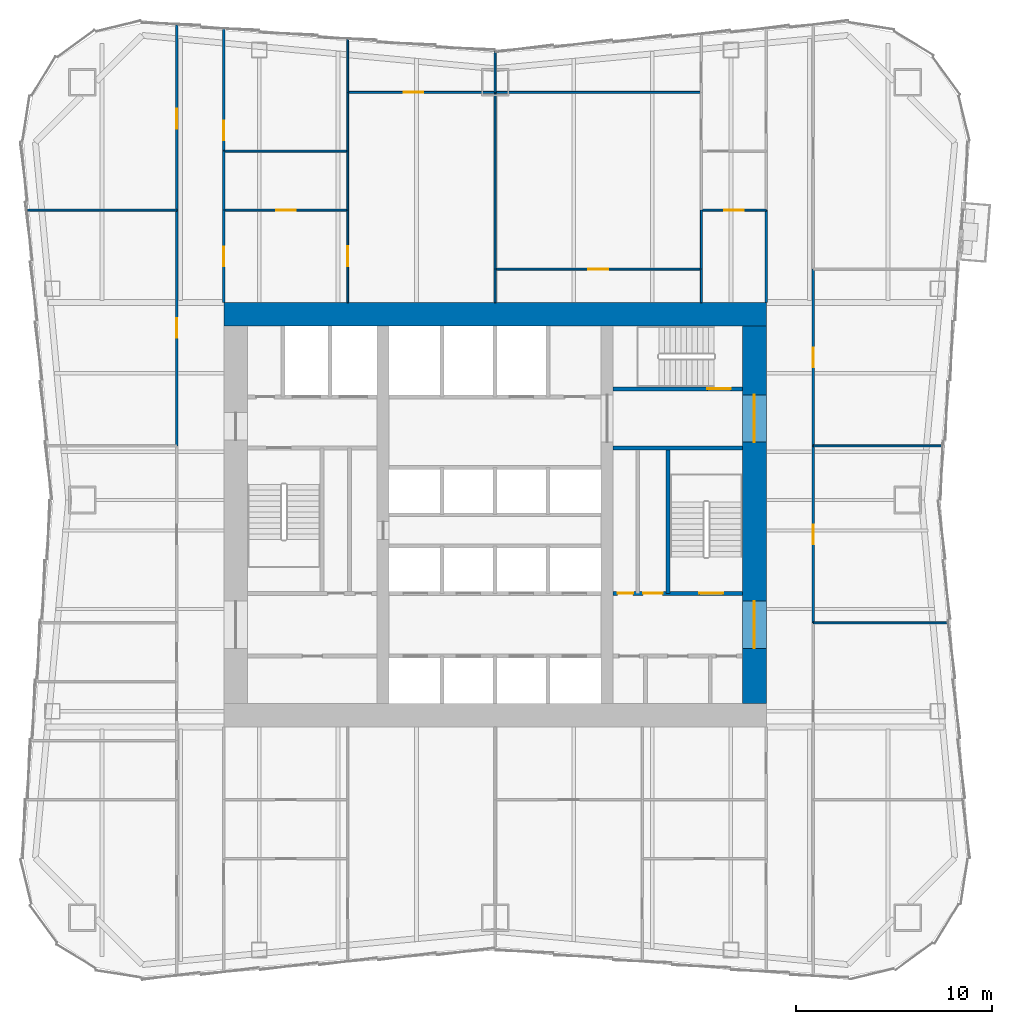
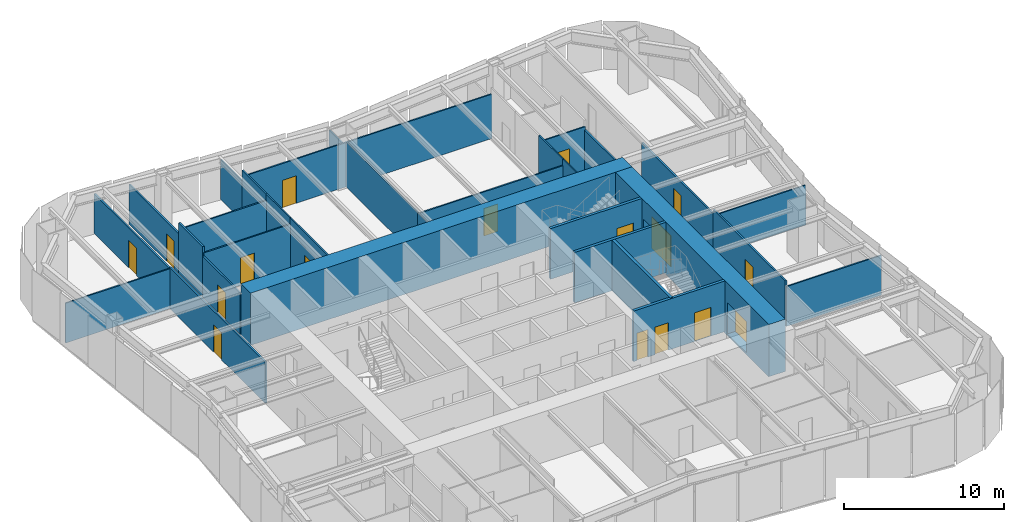
# One storey, part 6 of 9: 32 walls, 17 doors, 17 openings.
"""IFC4 building model written with IfcOpenShell, lengths in metres."""

from ifc_helpers import new_model, si_unit, direction, frame, frame_2d, origin, place, context, subcontext, project, spatial, rectangle, extrude, material, layer, layer_set, type_object, element, fill, save


model = new_model("IFC4")

# Units and contexts
model_context = context("Model", 3, precision=1e-05, world=origin(), true_north=direction((0.0, 1.0)))
body_context = subcontext(model_context, "Body", "Model", "MODEL_VIEW")
ifc_project = project(units=[si_unit("LENGTHUNIT", "METRE"), si_unit("AREAUNIT", "SQUARE_METRE"), si_unit("VOLUMEUNIT", "CUBIC_METRE"), si_unit("PLANEANGLEUNIT", "RADIAN"), si_unit("MASSUNIT", "GRAM", prefix="KILO")], contexts=[model_context])

# Site, building, storey
site_placement = place(None, origin())
site = spatial("IfcSite", under=ifc_project, at=site_placement, CompositionType="ELEMENT")
building_placement = place(site_placement, origin())
building = spatial("IfcBuilding", under=site, at=building_placement, Name="Verdant Reach Tower", CompositionType="ELEMENT")
storey_placement = place(building_placement, frame((0.0, 0.0, 98.0)))
storey = spatial("IfcBuildingStorey", under=building, at=storey_placement, Name="L22", CompositionType="ELEMENT", Elevation=98.0)

# Wall, openings, doors
ifc_material_1 = material(Name="Concrete C40/50", Category="concrete")
ifc_layer_1 = layer(ifc_material_1, 0.199951171875)
ifc_layer_set_1 = layer_set([ifc_layer_1], Name="CO-WALL-STAIR")
wall_type_1 = type_object("IfcWallType", Name="CO-WALL-STAIR", PredefinedType="PARTITIONING", material=ifc_layer_set_1)
wall_1_placement = place(storey_placement, frame((6.0, 24.0, 0.0), z_axis=(0.0, 0.0, 1.0), x_axis=(1.0, 0.0, 0.0)))
wall_1 = element("IfcWall", 1, at=wall_1_placement, inside=storey, type_object=wall_type_1, Name="Stair enclosure wall, L22", PredefinedType="PARTITIONING", context=body_context, shape_type="SweptSolid", body=[
    extrude(rectangle(XDim=6.60009765625, YDim=0.199951171875, at=frame_2d((3.300048828125, 0.0))), origin(), (0.0, 0.0, 1.0), 3.8701171875),
])
opening_1_placement = place(wall_1_placement, frame((0.22998046875, 0.0, 0.0)))
opening_1 = element("IfcOpeningElement", 2, at=opening_1_placement, cuts=wall_1, Name="Opening CDN", PredefinedType="OPENING", context=body_context, shape_type="SweptSolid", body=[
    extrude(rectangle(XDim=0.800048828125, YDim=2.10009765625, at=frame_2d((0.39990234375, 1.050048828125))), frame((0.0, 0.10986328125, 0.0), z_axis=(0.0, -1.0, 0.0), x_axis=(1.0, 0.0, 0.0)), (0.0, 0.0, 1.0), 0.219970703125),
])
opening_2_placement = place(wall_1_placement, frame((1.530029296875, 0.0, 0.0)))
opening_2 = element("IfcOpeningElement", 3, at=opening_2_placement, cuts=wall_1, Name="Opening CD", PredefinedType="OPENING", context=body_context, shape_type="SweptSolid", body=[
    extrude(rectangle(XDim=1.0, YDim=2.10009765625, at=frame_2d((0.5, 1.050048828125))), frame((0.0, 0.10986328125, 0.0), z_axis=(0.0, -1.0, 0.0), x_axis=(1.0, 0.0, 0.0)), (0.0, 0.0, 1.0), 0.219970703125),
])
opening_3_placement = place(wall_1_placement, frame((4.39990234375, 0.0, 0.0)))
opening_3 = element("IfcOpeningElement", 4, at=opening_3_placement, cuts=wall_1, Name="Opening SD", PredefinedType="OPENING", context=body_context, shape_type="SweptSolid", body=[
    extrude(rectangle(XDim=1.199951171875, YDim=2.199951171875, at=frame_2d((0.60009765625, 1.10009765625))), frame((0.0, 0.10986328125, 0.0), z_axis=(0.0, -1.0, 0.0), x_axis=(1.0, 0.0, 0.0)), (0.0, 0.0, 1.0), 0.219970703125),
])
ifc_material_2 = material(Name="Timber", Category="wood")
door_type_1 = type_object("IfcDoorType", Name="CO-DOOR-ROOM", OperationType="NOTDEFINED", PredefinedType="DOOR", material=ifc_material_2)
door_1_placement = place(opening_2_placement, origin())
door_1 = element("IfcDoor", 5, at=door_1_placement, inside=storey, type_object=door_type_1, Name="Core room door, L22", OperationType="SINGLE_SWING_LEFT", OverallHeight=2.10009765625, OverallWidth=1.0, PredefinedType="DOOR", context=body_context, shape_type="SweptSolid", body=[
    extrude(rectangle(XDim=1.0, YDim=2.10009765625, at=frame_2d((0.5, 1.050048828125))), frame((0.0, 0.02490234375, 0.0), z_axis=(0.0, -1.0, 0.0), x_axis=(1.0, 0.0, 0.0)), (0.0, 0.0, 1.0), 0.050048828125),
])
fill(opening_2, door_1)
door_type_2 = type_object("IfcDoorType", Name="CO-DOOR-ROOM-NARROW", OperationType="NOTDEFINED", PredefinedType="DOOR", material=ifc_material_2)
door_2_placement = place(opening_1_placement, origin())
door_2 = element("IfcDoor", 6, at=door_2_placement, inside=storey, type_object=door_type_2, Name="Core room door, L22", OperationType="SINGLE_SWING_RIGHT", OverallHeight=2.10009765625, OverallWidth=0.800048828125, PredefinedType="DOOR", context=body_context, shape_type="SweptSolid", body=[
    extrude(rectangle(XDim=0.800048828125, YDim=2.10009765625, at=frame_2d((0.39990234375, 1.050048828125))), frame((0.0, 0.02490234375, 0.0), z_axis=(0.0, -1.0, 0.0), x_axis=(1.0, 0.0, 0.0)), (0.0, 0.0, 1.0), 0.050048828125),
])
fill(opening_1, door_2)
ifc_material_3 = material(Name="Steel", Category="steel")
door_type_3 = type_object("IfcDoorType", Name="CO-DOOR-STAIR", OperationType="NOTDEFINED", PredefinedType="DOOR", material=ifc_material_3)
door_3_placement = place(opening_3_placement, origin())
door_3 = element("IfcDoor", 7, at=door_3_placement, inside=storey, type_object=door_type_3, Name="Stair door, L22", OperationType="SINGLE_SWING_LEFT", OverallHeight=2.199951171875, OverallWidth=1.199951171875, PredefinedType="DOOR", context=body_context, shape_type="SweptSolid", body=[
    extrude(rectangle(XDim=1.199951171875, YDim=2.199951171875, at=frame_2d((0.60009765625, 1.10009765625))), frame((0.0, 0.02490234375, 0.0), z_axis=(0.0, -1.0, 0.0), x_axis=(1.0, 0.0, 0.0)), (0.0, 0.0, 1.0), 0.050048828125),
])
fill(opening_3, door_3)

# Wall
wall_2_placement = place(storey_placement, frame((6.0, 31.39990234375, 0.0), z_axis=(0.0, 0.0, 1.0), x_axis=(1.0, 0.0, 0.0)))
element("IfcWall", 8, at=wall_2_placement, inside=storey, type_object=wall_type_1, Name="Stair enclosure wall, L22", PredefinedType="PARTITIONING", context=body_context, shape_type="SweptSolid", body=[
    extrude(rectangle(XDim=6.60009765625, YDim=0.199951171875, at=frame_2d((3.300048828125, 0.0))), origin(), (0.0, 0.0, 1.0), 3.8701171875),
])

# Wall, opening, door
wall_3_placement = place(storey_placement, frame((6.0, 34.39990234375, 0.0), z_axis=(0.0, 0.0, 1.0), x_axis=(1.0, 0.0, 0.0)))
wall_3 = element("IfcWall", 9, at=wall_3_placement, inside=storey, type_object=wall_type_1, Name="Stair enclosure wall, L22", PredefinedType="PARTITIONING", context=body_context, shape_type="SweptSolid", body=[
    extrude(rectangle(XDim=6.60009765625, YDim=0.199951171875, at=frame_2d((3.300048828125, 0.0))), origin(), (0.0, 0.0, 1.0), 3.8701171875),
])
opening_4_placement = place(wall_3_placement, frame((4.800048828125, 0.0, 0.0)))
opening_4 = element("IfcOpeningElement", 10, at=opening_4_placement, cuts=wall_3, Name="Opening SD", PredefinedType="OPENING", context=body_context, shape_type="SweptSolid", body=[
    extrude(rectangle(XDim=1.199951171875, YDim=2.199951171875, at=frame_2d((0.60009765625, 1.10009765625))), frame((0.0, 0.10986328125, 0.0), z_axis=(0.0, -1.0, 0.0), x_axis=(1.0, 0.0, 0.0)), (0.0, 0.0, 1.0), 0.219970703125),
])
door_4_placement = place(opening_4_placement, origin())
door_4 = element("IfcDoor", 11, at=door_4_placement, inside=storey, type_object=door_type_3, Name="Stair door, L22", OperationType="SINGLE_SWING_RIGHT", OverallHeight=2.199951171875, OverallWidth=1.199951171875, PredefinedType="DOOR", context=body_context, shape_type="SweptSolid", body=[
    extrude(rectangle(XDim=1.199951171875, YDim=2.199951171875, at=frame_2d((0.60009765625, 1.10009765625))), frame((0.0, 0.02490234375, 0.0), z_axis=(0.0, -1.0, 0.0), x_axis=(1.0, 0.0, 0.0)), (0.0, 0.0, 1.0), 0.050048828125),
])
fill(opening_4, door_4)

# Walls
wall_4_placement = place(storey_placement, frame((8.800048828125, 24.0, 0.0), z_axis=(0.0, 0.0, 1.0), x_axis=(0.0, 1.0, 0.0)))
element("IfcWall", 12, at=wall_4_placement, inside=storey, type_object=wall_type_1, Name="Stair enclosure wall, L22", PredefinedType="PARTITIONING", context=body_context, shape_type="SweptSolid", body=[
    extrude(rectangle(XDim=7.39990234375, YDim=0.199951171875, at=frame_2d((3.699951171875, 0.0))), origin(), (0.0, 0.0, 1.0), 3.8701171875),
])
ifc_material_4 = material(Name="Gypsum board on steel studs", Category="steel")
ifc_layer_2 = layer(ifc_material_4, 0.10009765625)
ifc_layer_set_2 = layer_set([ifc_layer_2], Name="FL-W1 Partition 100")
wall_type_2 = type_object("IfcWallType", Name="FL-W1 Partition 100", PredefinedType="PARTITIONING", material=ifc_layer_set_2)
wall_5_placement = place(storey_placement, frame((-16.199951171875, 43.5, 0.0), z_axis=(0.0, 0.0, 1.0), x_axis=(-1.0, 0.0, 0.0)))
element("IfcWall", 13, at=wall_5_placement, inside=storey, type_object=wall_type_2, Name="Partition 22.30", PredefinedType="PARTITIONING", context=body_context, shape_type="SweptSolid", body=[
    extrude(rectangle(XDim=7.59228515625, YDim=0.10009765625, at=frame_2d((3.796142578125, 0.0))), origin(), (0.0, 0.0, 1.0), 3.0400390625),
])
wall_6_placement = place(storey_placement, frame((23.09375, 22.5, 0.0), z_axis=(0.0, 0.0, 1.0), x_axis=(-1.0, 0.0, 0.0)))
element("IfcWall", 14, at=wall_6_placement, inside=storey, type_object=wall_type_2, Name="Partition 22.32", PredefinedType="PARTITIONING", context=body_context, shape_type="SweptSolid", body=[
    extrude(rectangle(XDim=6.893798828125, YDim=0.10009765625, at=frame_2d((3.44677734375, 0.0))), origin(), (0.0, 0.0, 1.0), 3.0400390625),
])
wall_7_placement = place(storey_placement, frame((22.805908203125, 31.5, 0.0), z_axis=(0.0, 0.0, 1.0), x_axis=(-1.0, 0.0, 0.0)))
element("IfcWall", 15, at=wall_7_placement, inside=storey, type_object=wall_type_2, Name="Partition 22.33", PredefinedType="PARTITIONING", context=body_context, shape_type="SweptSolid", body=[
    extrude(rectangle(XDim=6.60595703125, YDim=0.10009765625, at=frame_2d((3.302978515625, 0.0))), origin(), (0.0, 0.0, 1.0), 3.0400390625),
])

# Wall, opening, door
wall_8_placement = place(storey_placement, frame((-13.800048828125, 43.5, 0.0), z_axis=(0.0, 0.0, 1.0), x_axis=(1.0, 0.0, 0.0)))
wall_8 = element("IfcWall", 16, at=wall_8_placement, inside=storey, type_object=wall_type_2, Name="Partition 22.48", PredefinedType="PARTITIONING", context=body_context, shape_type="SweptSolid", body=[
    extrude(rectangle(XDim=6.300048828125, YDim=0.10009765625, at=frame_2d((3.14990234375, 0.0))), origin(), (0.0, 0.0, 1.0), 3.389892578125),
])
opening_5_placement = place(wall_8_placement, frame((2.64990234375, 0.0, 0.0)))
opening_5 = element("IfcOpeningElement", 17, at=opening_5_placement, cuts=wall_8, Name="Opening D3", PredefinedType="OPENING", context=body_context, shape_type="SweptSolid", body=[
    extrude(rectangle(XDim=1.0, YDim=2.10009765625, at=frame_2d((0.5, 1.050048828125))), frame((0.0, 0.06005859375, 0.0), z_axis=(0.0, -1.0, 0.0), x_axis=(1.0, 0.0, 0.0)), (0.0, 0.0, 1.0), 0.1201171875),
])
ifc_material_5 = material(Name="Painted timber door leaf", Category="wood")
door_type_4 = type_object("IfcDoorType", Name="FL-D3 Door 1000x2100", OperationType="NOTDEFINED", PredefinedType="DOOR", material=ifc_material_5)
door_5_placement = place(opening_5_placement, origin())
door_5 = element("IfcDoor", 18, at=door_5_placement, inside=storey, type_object=door_type_4, Name="Door 22-025", OperationType="SINGLE_SWING_LEFT", OverallHeight=2.10009765625, OverallWidth=1.0, PredefinedType="DOOR", context=body_context, shape_type="SweptSolid", body=[
    extrude(rectangle(XDim=1.0, YDim=2.10009765625, at=frame_2d((0.5, 1.050048828125))), frame((0.0, 0.02490234375, 0.0), z_axis=(0.0, -1.0, 0.0), x_axis=(1.0, 0.0, 0.0)), (0.0, 0.0, 1.0), 0.050048828125),
])
fill(opening_5, door_5)

wall_9_placement = place(storey_placement, frame((-7.5, 43.50390625, 0.0), z_axis=(0.0, 0.0, 1.0), x_axis=(0.0, -1.0, 0.0)))
wall_9 = element("IfcWall", 19, at=wall_9_placement, inside=storey, type_object=wall_type_2, Name="Partition 22.49", PredefinedType="PARTITIONING", context=body_context, shape_type="SweptSolid", body=[
    extrude(rectangle(XDim=4.703857421875, YDim=0.10009765625, at=frame_2d((2.35205078125, 0.0))), origin(), (0.0, 0.0, 1.0), 3.8701171875),
])
opening_6_placement = place(wall_9_placement, frame((1.85205078125, 0.0, 0.0)))
opening_6 = element("IfcOpeningElement", 20, at=opening_6_placement, cuts=wall_9, Name="Opening D3", PredefinedType="OPENING", context=body_context, shape_type="SweptSolid", body=[
    extrude(rectangle(XDim=1.0, YDim=2.10009765625, at=frame_2d((0.5, 1.050048828125))), frame((0.0, 0.06005859375, 0.0), z_axis=(0.0, -1.0, 0.0), x_axis=(1.0, 0.0, 0.0)), (0.0, 0.0, 1.0), 0.1201171875),
])
door_6_placement = place(opening_6_placement, origin())
door_6 = element("IfcDoor", 21, at=door_6_placement, inside=storey, type_object=door_type_4, Name="Door 22-026", OperationType="SINGLE_SWING_RIGHT", OverallHeight=2.10009765625, OverallWidth=1.0, PredefinedType="DOOR", context=body_context, shape_type="SweptSolid", body=[
    extrude(rectangle(XDim=1.0, YDim=2.10009765625, at=frame_2d((0.5, 1.050048828125))), frame((0.0, 0.02490234375, 0.0), z_axis=(0.0, -1.0, 0.0), x_axis=(1.0, 0.0, 0.0)), (0.0, 0.0, 1.0), 0.050048828125),
])
fill(opening_6, door_6)

# Walls
wall_10_placement = place(storey_placement, frame((-7.5, 46.5, 0.0), z_axis=(0.0, 0.0, 1.0), x_axis=(-1.0, 0.0, 0.0)))
element("IfcWall", 22, at=wall_10_placement, inside=storey, type_object=wall_type_2, Name="Partition 22.50", PredefinedType="PARTITIONING", context=body_context, shape_type="SweptSolid", body=[
    extrude(rectangle(XDim=6.300048828125, YDim=0.10009765625, at=frame_2d((3.14990234375, 0.0))), origin(), (0.0, 0.0, 1.0), 3.389892578125),
])
wall_11_placement = place(storey_placement, frame((-7.5, 43.49609375, 0.0), z_axis=(0.0, 0.0, 1.0), x_axis=(0.0, 1.0, 0.0)))
element("IfcWall", 23, at=wall_11_placement, inside=storey, type_object=wall_type_2, Name="Partition 22.51", PredefinedType="PARTITIONING", context=body_context, shape_type="SweptSolid", body=[
    extrude(rectangle(XDim=3.0078125, YDim=0.10009765625, at=frame_2d((1.50390625, 0.0))), origin(), (0.0, 0.0, 1.0), 3.8701171875),
])
wall_12_placement = place(storey_placement, frame((-7.5, 46.49609375, 0.0), z_axis=(0.0, 0.0, 1.0), x_axis=(0.0, 1.0, 0.0)))
element("IfcWall", 24, at=wall_12_placement, inside=storey, type_object=wall_type_2, Name="Partition 22.52", PredefinedType="PARTITIONING", context=body_context, shape_type="SweptSolid", body=[
    extrude(rectangle(XDim=3.00390625, YDim=0.10009765625, at=frame_2d((1.501953125, 0.0))), origin(), (0.0, 0.0, 1.0), 3.8701171875),
])
wall_13_placement = place(storey_placement, frame((-7.5, 49.5, 0.0), z_axis=(0.0, 0.0, 1.0), x_axis=(0.0, 1.0, 0.0)))
element("IfcWall", 25, at=wall_13_placement, inside=storey, type_object=wall_type_2, Name="Partition 22.53", PredefinedType="PARTITIONING", context=body_context, shape_type="SweptSolid", body=[
    extrude(rectangle(XDim=2.705078125, YDim=0.10009765625, at=frame_2d((1.3525390625, 0.0))), origin(), (0.0, 0.0, 1.0), 3.0400390625),
])

# Wall, opening, door
wall_14_placement = place(storey_placement, frame((-7.5, 49.5, 0.0), z_axis=(0.0, 0.0, 1.0), x_axis=(1.0, 0.0, 0.0)))
wall_14 = element("IfcWall", 26, at=wall_14_placement, inside=storey, type_object=wall_type_2, Name="Partition 22.54", PredefinedType="PARTITIONING", context=body_context, shape_type="SweptSolid", body=[
    extrude(rectangle(XDim=7.5, YDim=0.10009765625, at=frame_2d((3.75, 0.0))), origin(), (0.0, 0.0, 1.0), 3.389892578125),
])
opening_7_placement = place(wall_14_placement, frame((2.85009765625, 0.0, 0.0)))
opening_7 = element("IfcOpeningElement", 27, at=opening_7_placement, cuts=wall_14, Name="Opening D3", PredefinedType="OPENING", context=body_context, shape_type="SweptSolid", body=[
    extrude(rectangle(XDim=1.0, YDim=2.10009765625, at=frame_2d((0.5, 1.050048828125))), frame((0.0, 0.06005859375, 0.0), z_axis=(0.0, -1.0, 0.0), x_axis=(1.0, 0.0, 0.0)), (0.0, 0.0, 1.0), 0.1201171875),
])
door_7_placement = place(opening_7_placement, origin())
door_7 = element("IfcDoor", 28, at=door_7_placement, inside=storey, type_object=door_type_4, Name="Door 22-027", OperationType="SINGLE_SWING_LEFT", OverallHeight=2.10009765625, OverallWidth=1.0, PredefinedType="DOOR", context=body_context, shape_type="SweptSolid", body=[
    extrude(rectangle(XDim=1.0, YDim=2.10009765625, at=frame_2d((0.5, 1.050048828125))), frame((0.0, 0.02490234375, 0.0), z_axis=(0.0, -1.0, 0.0), x_axis=(1.0, 0.0, 0.0)), (0.0, 0.0, 1.0), 0.050048828125),
])
fill(opening_7, door_7)

# Walls
wall_15_placement = place(storey_placement, frame((0.0, 38.800048828125, 0.0), z_axis=(0.0, 0.0, 1.0), x_axis=(0.0, 1.0, 0.0)))
element("IfcWall", 29, at=wall_15_placement, inside=storey, type_object=wall_type_2, Name="Partition 22.55", PredefinedType="PARTITIONING", context=body_context, shape_type="SweptSolid", body=[
    extrude(rectangle(XDim=1.699951171875, YDim=0.10009765625, at=frame_2d((0.85009765625, 0.0))), origin(), (0.0, 0.0, 1.0), 3.43994140625),
])
wall_16_placement = place(storey_placement, frame((0.0, 40.5, 0.0), z_axis=(0.0, 0.0, 1.0), x_axis=(0.0, 1.0, 0.0)))
element("IfcWall", 30, at=wall_16_placement, inside=storey, type_object=wall_type_2, Name="Partition 22.56", PredefinedType="PARTITIONING", context=body_context, shape_type="SweptSolid", body=[
    extrude(rectangle(XDim=9.0, YDim=0.10009765625, at=frame_2d((4.5, 0.0))), origin(), (0.0, 0.0, 1.0), 3.43994140625),
])
wall_17_placement = place(storey_placement, frame((0.0, 49.5, 0.0), z_axis=(0.0, 0.0, 1.0), x_axis=(0.0, 1.0, 0.0)))
element("IfcWall", 31, at=wall_17_placement, inside=storey, type_object=wall_type_2, Name="Partition 22.57", PredefinedType="PARTITIONING", context=body_context, shape_type="SweptSolid", body=[
    extrude(rectangle(XDim=2.080078125, YDim=0.10009765625, at=frame_2d((1.0400390625, 0.0))), origin(), (0.0, 0.0, 1.0), 3.0400390625),
])

# Wall, opening, door
wall_18_placement = place(storey_placement, frame((13.800048828125, 43.5, 0.0), z_axis=(0.0, 0.0, 1.0), x_axis=(-1.0, 0.0, 0.0)))
wall_18 = element("IfcWall", 32, at=wall_18_placement, inside=storey, type_object=wall_type_2, Name="Partition 22.58", PredefinedType="PARTITIONING", context=body_context, shape_type="SweptSolid", body=[
    extrude(rectangle(XDim=3.300048828125, YDim=0.10009765625, at=frame_2d((1.64990234375, 0.0))), origin(), (0.0, 0.0, 1.0), 3.389892578125),
])
opening_8_placement = place(wall_18_placement, frame((1.14990234375, 0.0, 0.0)))
opening_8 = element("IfcOpeningElement", 33, at=opening_8_placement, cuts=wall_18, Name="Opening D3", PredefinedType="OPENING", context=body_context, shape_type="SweptSolid", body=[
    extrude(rectangle(XDim=1.0, YDim=2.10009765625, at=frame_2d((0.5, 1.050048828125))), frame((0.0, 0.06005859375, 0.0), z_axis=(0.0, -1.0, 0.0), x_axis=(1.0, 0.0, 0.0)), (0.0, 0.0, 1.0), 0.1201171875),
])
door_8_placement = place(opening_8_placement, origin())
door_8 = element("IfcDoor", 34, at=door_8_placement, inside=storey, type_object=door_type_4, Name="Door 22-028", OperationType="SINGLE_SWING_RIGHT", OverallHeight=2.10009765625, OverallWidth=1.0, PredefinedType="DOOR", context=body_context, shape_type="SweptSolid", body=[
    extrude(rectangle(XDim=1.0, YDim=2.10009765625, at=frame_2d((0.5, 1.050048828125))), frame((0.0, 0.02490234375, 0.0), z_axis=(0.0, -1.0, 0.0), x_axis=(1.0, 0.0, 0.0)), (0.0, 0.0, 1.0), 0.050048828125),
])
fill(opening_8, door_8)

# Walls
wall_19_placement = place(storey_placement, frame((10.5, 40.5, 0.0), z_axis=(0.0, 0.0, 1.0), x_axis=(0.0, -1.0, 0.0)))
element("IfcWall", 35, at=wall_19_placement, inside=storey, type_object=wall_type_2, Name="Partition 22.59", PredefinedType="PARTITIONING", context=body_context, shape_type="SweptSolid", body=[
    extrude(rectangle(XDim=1.699951171875, YDim=0.10009765625, at=frame_2d((0.85009765625, 0.0))), origin(), (0.0, 0.0, 1.0), 3.8701171875),
])
wall_20_placement = place(storey_placement, frame((10.5, 43.50390625, 0.0), z_axis=(0.0, 0.0, 1.0), x_axis=(0.0, -1.0, 0.0)))
element("IfcWall", 36, at=wall_20_placement, inside=storey, type_object=wall_type_2, Name="Partition 22.60", PredefinedType="PARTITIONING", context=body_context, shape_type="SweptSolid", body=[
    extrude(rectangle(XDim=3.00390625, YDim=0.10009765625, at=frame_2d((1.501953125, 0.0))), origin(), (0.0, 0.0, 1.0), 3.8701171875),
])

# Wall, opening, door
wall_21_placement = place(storey_placement, frame((10.5, 40.5, 0.0), z_axis=(0.0, 0.0, 1.0), x_axis=(-1.0, 0.0, 0.0)))
wall_21 = element("IfcWall", 37, at=wall_21_placement, inside=storey, type_object=wall_type_2, Name="Partition 22.65", PredefinedType="PARTITIONING", context=body_context, shape_type="SweptSolid", body=[
    extrude(rectangle(XDim=10.5, YDim=0.10009765625, at=frame_2d((5.25, 0.0))), origin(), (0.0, 0.0, 1.0), 3.389892578125),
])
opening_9_placement = place(wall_21_placement, frame((4.75, 0.0, 0.0)))
opening_9 = element("IfcOpeningElement", 38, at=opening_9_placement, cuts=wall_21, Name="Opening D3", PredefinedType="OPENING", context=body_context, shape_type="SweptSolid", body=[
    extrude(rectangle(XDim=1.0, YDim=2.10009765625, at=frame_2d((0.5, 1.050048828125))), frame((0.0, 0.06005859375, 0.0), z_axis=(0.0, -1.0, 0.0), x_axis=(1.0, 0.0, 0.0)), (0.0, 0.0, 1.0), 0.1201171875),
])
door_9_placement = place(opening_9_placement, origin())
door_9 = element("IfcDoor", 39, at=door_9_placement, inside=storey, type_object=door_type_4, Name="Door 22-032", OperationType="SINGLE_SWING_RIGHT", OverallHeight=2.10009765625, OverallWidth=1.0, PredefinedType="DOOR", context=body_context, shape_type="SweptSolid", body=[
    extrude(rectangle(XDim=1.0, YDim=2.10009765625, at=frame_2d((0.5, 1.050048828125))), frame((0.0, 0.02490234375, 0.0), z_axis=(0.0, -1.0, 0.0), x_axis=(1.0, 0.0, 0.0)), (0.0, 0.0, 1.0), 0.050048828125),
])
fill(opening_9, door_9)

# Wall
wall_22_placement = place(storey_placement, frame((10.5, 49.5, 0.0), z_axis=(0.0, 0.0, 1.0), x_axis=(-1.0, 0.0, 0.0)))
element("IfcWall", 40, at=wall_22_placement, inside=storey, type_object=wall_type_2, Name="Partition 22.66", PredefinedType="PARTITIONING", context=body_context, shape_type="SweptSolid", body=[
    extrude(rectangle(XDim=10.5, YDim=0.10009765625, at=frame_2d((5.25, 0.0))), origin(), (0.0, 0.0, 1.0), 3.389892578125),
])

# Wall, opening, door
ifc_material_6 = material(Name="Gypsum board on steel studs, fire rated", Category="steel")
ifc_layer_3 = layer(ifc_material_6, 0.125)
ifc_layer_set_3 = layer_set([ifc_layer_3], Name="FL-W2 Corridor wall 125")
wall_type_3 = type_object("IfcWallType", Name="FL-W2 Corridor wall 125", PredefinedType="PARTITIONING", material=ifc_layer_set_3)
wall_23_placement = place(storey_placement, frame((-16.199951171875, 31.5, 0.0), z_axis=(0.0, 0.0, 1.0), x_axis=(0.0, 1.0, 0.0)))
wall_23 = element("IfcWall", 41, at=wall_23_placement, inside=storey, type_object=wall_type_3, Name="Partition 22.06", PredefinedType="PARTITIONING", context=body_context, shape_type="SweptSolid", body=[
    extrude(rectangle(XDim=12.0, YDim=0.125, at=frame_2d((6.0, 0.0))), origin(), (0.0, 0.0, 1.0), 3.139892578125),
])
opening_10_placement = place(wall_23_placement, frame((5.5, 0.0, 0.0)))
opening_10 = element("IfcOpeningElement", 42, at=opening_10_placement, cuts=wall_23, Name="Opening D2", PredefinedType="OPENING", context=body_context, shape_type="SweptSolid", body=[
    extrude(rectangle(XDim=1.0, YDim=2.10009765625, at=frame_2d((0.5, 1.050048828125))), frame((0.0, 0.072509765625, 0.0), z_axis=(0.0, -1.0, 0.0), x_axis=(1.0, 0.0, 0.0)), (0.0, 0.0, 1.0), 0.14501953125),
])
ifc_material_7 = material(Name="Timber door leaf, fire rated", Category="wood")
door_type_5 = type_object("IfcDoorType", Name="FL-D2 Entrance door 1000x2100 FD30", OperationType="NOTDEFINED", PredefinedType="DOOR", material=ifc_material_7)
door_10_placement = place(opening_10_placement, origin())
door_10 = element("IfcDoor", 43, at=door_10_placement, inside=storey, type_object=door_type_5, Name="Door 22-006", OperationType="SINGLE_SWING_RIGHT", OverallHeight=2.10009765625, OverallWidth=1.0, PredefinedType="DOOR", context=body_context, shape_type="SweptSolid", body=[
    extrude(rectangle(XDim=1.0, YDim=2.10009765625, at=frame_2d((0.5, 1.050048828125))), frame((0.0, 0.02490234375, 0.0), z_axis=(0.0, -1.0, 0.0), x_axis=(1.0, 0.0, 0.0)), (0.0, 0.0, 1.0), 0.050048828125),
])
fill(opening_10, door_10)

wall_24_placement = place(storey_placement, frame((-16.199951171875, 43.5, 0.0), z_axis=(0.0, 0.0, 1.0), x_axis=(0.0, 1.0, 0.0)))
wall_24 = element("IfcWall", 44, at=wall_24_placement, inside=storey, type_object=wall_type_3, Name="Partition 22.07", PredefinedType="PARTITIONING", context=body_context, shape_type="SweptSolid", body=[
    extrude(rectangle(XDim=9.429931640625, YDim=0.125, at=frame_2d((4.71484375, 0.0))), origin(), (0.0, 0.0, 1.0), 3.0400390625),
])
opening_11_placement = place(wall_24_placement, frame((4.14990234375, 0.0, 0.0)))
opening_11 = element("IfcOpeningElement", 45, at=opening_11_placement, cuts=wall_24, Name="Opening D2", PredefinedType="OPENING", context=body_context, shape_type="SweptSolid", body=[
    extrude(rectangle(XDim=1.0, YDim=2.10009765625, at=frame_2d((0.5, 1.050048828125))), frame((0.0, 0.072509765625, 0.0), z_axis=(0.0, -1.0, 0.0), x_axis=(1.0, 0.0, 0.0)), (0.0, 0.0, 1.0), 0.14501953125),
])
door_11_placement = place(opening_11_placement, origin())
door_11 = element("IfcDoor", 46, at=door_11_placement, inside=storey, type_object=door_type_5, Name="Door 22-007", OperationType="SINGLE_SWING_LEFT", OverallHeight=2.10009765625, OverallWidth=1.0, PredefinedType="DOOR", context=body_context, shape_type="SweptSolid", body=[
    extrude(rectangle(XDim=1.0, YDim=2.10009765625, at=frame_2d((0.5, 1.050048828125))), frame((0.0, 0.02490234375, 0.0), z_axis=(0.0, -1.0, 0.0), x_axis=(1.0, 0.0, 0.0)), (0.0, 0.0, 1.0), 0.050048828125),
])
fill(opening_11, door_11)

wall_25_placement = place(storey_placement, frame((-13.800048828125, 43.5, 0.0), z_axis=(0.0, 0.0, 1.0), x_axis=(0.0, -1.0, 0.0)))
wall_25 = element("IfcWall", 47, at=wall_25_placement, inside=storey, type_object=wall_type_3, Name="Partition 22.11", PredefinedType="PARTITIONING", context=body_context, shape_type="SweptSolid", body=[
    extrude(rectangle(XDim=4.699951171875, YDim=0.125, at=frame_2d((2.35009765625, 0.0))), origin(), (0.0, 0.0, 1.0), 3.139892578125),
])
opening_12_placement = place(wall_25_placement, frame((1.85009765625, 0.0, 0.0)))
opening_12 = element("IfcOpeningElement", 48, at=opening_12_placement, cuts=wall_25, Name="Opening D2", PredefinedType="OPENING", context=body_context, shape_type="SweptSolid", body=[
    extrude(rectangle(XDim=1.0, YDim=2.10009765625, at=frame_2d((0.5, 1.050048828125))), frame((0.0, 0.072509765625, 0.0), z_axis=(0.0, -1.0, 0.0), x_axis=(1.0, 0.0, 0.0)), (0.0, 0.0, 1.0), 0.14501953125),
])
door_12_placement = place(opening_12_placement, origin())
door_12 = element("IfcDoor", 49, at=door_12_placement, inside=storey, type_object=door_type_5, Name="Door 22-009", OperationType="SINGLE_SWING_LEFT", OverallHeight=2.10009765625, OverallWidth=1.0, PredefinedType="DOOR", context=body_context, shape_type="SweptSolid", body=[
    extrude(rectangle(XDim=1.0, YDim=2.10009765625, at=frame_2d((0.5, 1.050048828125))), frame((0.0, 0.02490234375, 0.0), z_axis=(0.0, -1.0, 0.0), x_axis=(1.0, 0.0, 0.0)), (0.0, 0.0, 1.0), 0.050048828125),
])
fill(opening_12, door_12)

# Wall
wall_26_placement = place(storey_placement, frame((-13.800048828125, 43.5, 0.0), z_axis=(0.0, 0.0, 1.0), x_axis=(0.0, 1.0, 0.0)))
element("IfcWall", 50, at=wall_26_placement, inside=storey, type_object=wall_type_3, Name="Partition 22.12", PredefinedType="PARTITIONING", context=body_context, shape_type="SweptSolid", body=[
    extrude(rectangle(XDim=3.0, YDim=0.125, at=frame_2d((1.5, 0.0))), origin(), (0.0, 0.0, 1.0), 3.8701171875),
])

# Wall, opening, door
wall_27_placement = place(storey_placement, frame((-13.800048828125, 52.72998046875, 0.0), z_axis=(0.0, 0.0, 1.0), x_axis=(0.0, -1.0, 0.0)))
wall_27 = element("IfcWall", 51, at=wall_27_placement, inside=storey, type_object=wall_type_3, Name="Partition 22.13", PredefinedType="PARTITIONING", context=body_context, shape_type="SweptSolid", body=[
    extrude(rectangle(XDim=6.22998046875, YDim=0.125, at=frame_2d((3.114990234375, 0.0))), origin(), (0.0, 0.0, 1.0), 3.0400390625),
])
opening_13_placement = place(wall_27_placement, frame((4.68017578125, 0.0, 0.0)))
opening_13 = element("IfcOpeningElement", 52, at=opening_13_placement, cuts=wall_27, Name="Opening D2", PredefinedType="OPENING", context=body_context, shape_type="SweptSolid", body=[
    extrude(rectangle(XDim=1.0, YDim=2.10009765625, at=frame_2d((0.5, 1.050048828125))), frame((0.0, 0.072509765625, 0.0), z_axis=(0.0, -1.0, 0.0), x_axis=(1.0, 0.0, 0.0)), (0.0, 0.0, 1.0), 0.14501953125),
])
door_13_placement = place(opening_13_placement, origin())
door_13 = element("IfcDoor", 53, at=door_13_placement, inside=storey, type_object=door_type_5, Name="Door 22-010", OperationType="SINGLE_SWING_RIGHT", OverallHeight=2.10009765625, OverallWidth=1.0, PredefinedType="DOOR", context=body_context, shape_type="SweptSolid", body=[
    extrude(rectangle(XDim=1.0, YDim=2.10009765625, at=frame_2d((0.5, 1.050048828125))), frame((0.0, 0.02490234375, 0.0), z_axis=(0.0, -1.0, 0.0), x_axis=(1.0, 0.0, 0.0)), (0.0, 0.0, 1.0), 0.050048828125),
])
fill(opening_13, door_13)

wall_28_placement = place(storey_placement, frame((16.199951171875, 31.5, 0.0), z_axis=(0.0, 0.0, 1.0), x_axis=(0.0, -1.0, 0.0)))
wall_28 = element("IfcWall", 54, at=wall_28_placement, inside=storey, type_object=wall_type_3, Name="Partition 22.16", PredefinedType="PARTITIONING", context=body_context, shape_type="SweptSolid", body=[
    extrude(rectangle(XDim=9.0, YDim=0.125, at=frame_2d((4.5, 0.0))), origin(), (0.0, 0.0, 1.0), 3.47998046875),
])
opening_14_placement = place(wall_28_placement, frame((4.0, 0.0, 0.0)))
opening_14 = element("IfcOpeningElement", 55, at=opening_14_placement, cuts=wall_28, Name="Opening D2", PredefinedType="OPENING", context=body_context, shape_type="SweptSolid", body=[
    extrude(rectangle(XDim=1.0, YDim=2.10009765625, at=frame_2d((0.5, 1.050048828125))), frame((0.0, 0.072509765625, 0.0), z_axis=(0.0, -1.0, 0.0), x_axis=(1.0, 0.0, 0.0)), (0.0, 0.0, 1.0), 0.14501953125),
])
door_14_placement = place(opening_14_placement, origin())
door_14 = element("IfcDoor", 56, at=door_14_placement, inside=storey, type_object=door_type_5, Name="Door 22-013", OperationType="SINGLE_SWING_LEFT", OverallHeight=2.10009765625, OverallWidth=1.0, PredefinedType="DOOR", context=body_context, shape_type="SweptSolid", body=[
    extrude(rectangle(XDim=1.0, YDim=2.10009765625, at=frame_2d((0.5, 1.050048828125))), frame((0.0, 0.02490234375, 0.0), z_axis=(0.0, -1.0, 0.0), x_axis=(1.0, 0.0, 0.0)), (0.0, 0.0, 1.0), 0.050048828125),
])
fill(opening_14, door_14)

wall_29_placement = place(storey_placement, frame((16.199951171875, 40.5, 0.0), z_axis=(0.0, 0.0, 1.0), x_axis=(0.0, -1.0, 0.0)))
wall_29 = element("IfcWall", 57, at=wall_29_placement, inside=storey, type_object=wall_type_3, Name="Partition 22.17", PredefinedType="PARTITIONING", context=body_context, shape_type="SweptSolid", body=[
    extrude(rectangle(XDim=9.0, YDim=0.125, at=frame_2d((4.5, 0.0))), origin(), (0.0, 0.0, 1.0), 3.139892578125),
])
opening_15_placement = place(wall_29_placement, frame((4.0, 0.0, 0.0)))
opening_15 = element("IfcOpeningElement", 58, at=opening_15_placement, cuts=wall_29, Name="Opening D2", PredefinedType="OPENING", context=body_context, shape_type="SweptSolid", body=[
    extrude(rectangle(XDim=1.0, YDim=2.10009765625, at=frame_2d((0.5, 1.050048828125))), frame((0.0, 0.072509765625, 0.0), z_axis=(0.0, -1.0, 0.0), x_axis=(1.0, 0.0, 0.0)), (0.0, 0.0, 1.0), 0.14501953125),
])
door_15_placement = place(opening_15_placement, origin())
door_15 = element("IfcDoor", 59, at=door_15_placement, inside=storey, type_object=door_type_5, Name="Door 22-014", OperationType="SINGLE_SWING_RIGHT", OverallHeight=2.10009765625, OverallWidth=1.0, PredefinedType="DOOR", context=body_context, shape_type="SweptSolid", body=[
    extrude(rectangle(XDim=1.0, YDim=2.10009765625, at=frame_2d((0.5, 1.050048828125))), frame((0.0, 0.02490234375, 0.0), z_axis=(0.0, -1.0, 0.0), x_axis=(1.0, 0.0, 0.0)), (0.0, 0.0, 1.0), 0.050048828125),
])
fill(opening_15, door_15)

# Walls
wall_30_placement = place(storey_placement, frame((13.800048828125, 43.5, 0.0), z_axis=(0.0, 0.0, 1.0), x_axis=(0.0, -1.0, 0.0)))
element("IfcWall", 60, at=wall_30_placement, inside=storey, type_object=wall_type_3, Name="Partition 22.22", PredefinedType="PARTITIONING", context=body_context, shape_type="SweptSolid", body=[
    extrude(rectangle(XDim=4.699951171875, YDim=0.125, at=frame_2d((2.35009765625, 0.0))), origin(), (0.0, 0.0, 1.0), 3.139892578125),
])
ifc_material_8 = material(Name="Concrete C70/85", Category="concrete")
ifc_layer_4 = layer(ifc_material_8, 1.199951171875)
ifc_layer_set_4 = layer_set([ifc_layer_4], Name="ST-CORE-WALL-1200")
wall_type_4 = type_object("IfcWallType", Name="ST-CORE-WALL-1200", PredefinedType="SHEAR", material=ifc_layer_set_4)
wall_31_placement = place(storey_placement, frame((-13.800048828125, 38.199951171875, -0.1298828125), z_axis=(0.0, 0.0, 1.0), x_axis=(1.0, 0.0, 0.0)))
element("IfcWall", 61, at=wall_31_placement, inside=storey, type_object=wall_type_4, Name="Core wall N, L22", PredefinedType="SHEAR", context=body_context, shape_type="SweptSolid", body=[
    extrude(rectangle(XDim=27.60009765625, YDim=1.199951171875, at=frame_2d((13.800048828125, 0.0))), origin(), (0.0, 0.0, 1.0), 4.0),
])

# Wall, openings, doors
wall_32_placement = place(storey_placement, frame((13.199951171875, 18.39990234375, -0.1298828125), z_axis=(0.0, 0.0, 1.0), x_axis=(0.0, 1.0, 0.0)))
wall_32 = element("IfcWall", 62, at=wall_32_placement, inside=storey, type_object=wall_type_4, Name="Core wall E, L22", PredefinedType="SHEAR", context=body_context, shape_type="SweptSolid", body=[
    extrude(rectangle(XDim=19.2001953125, YDim=1.199951171875, at=frame_2d((9.60009765625, 0.0))), origin(), (0.0, 0.0, 1.0), 4.0),
])
opening_16_placement = place(wall_32_placement, frame((2.800048828125, 0.0, 0.1298828125)))
opening_16 = element("IfcOpeningElement", 63, at=opening_16_placement, cuts=wall_32, Name="Opening LB", PredefinedType="OPENING", context=body_context, shape_type="SweptSolid", body=[
    extrude(rectangle(XDim=2.39990234375, YDim=2.39990234375, at=frame_2d((1.199951171875, 1.199951171875))), frame((0.0, 0.60986328125, 0.0), z_axis=(0.0, -1.0, 0.0), x_axis=(1.0, 0.0, 0.0)), (0.0, 0.0, 1.0), 1.219970703125),
])
opening_17_placement = place(wall_32_placement, frame((13.300048828125, 0.0, 0.1298828125)))
opening_17 = element("IfcOpeningElement", 64, at=opening_17_placement, cuts=wall_32, Name="Opening LB", PredefinedType="OPENING", context=body_context, shape_type="SweptSolid", body=[
    extrude(rectangle(XDim=2.39990234375, YDim=2.39990234375, at=frame_2d((1.199951171875, 1.199951171875))), frame((0.0, 0.60986328125, 0.0), z_axis=(0.0, -1.0, 0.0), x_axis=(1.0, 0.0, 0.0)), (0.0, 0.0, 1.0), 1.219970703125),
])
ifc_material_9 = material(Name="Glass and steel", Category="steel")
door_type_6 = type_object("IfcDoorType", Name="CO-DOOR-LOBBY", OperationType="DOUBLE_DOOR_SINGLE_SWING", PredefinedType="DOOR", material=ifc_material_9)
door_16_placement = place(opening_16_placement, origin())
door_16 = element("IfcDoor", 65, at=door_16_placement, inside=storey, type_object=door_type_6, Name="Core entrance door, L22", OperationType="DOUBLE_DOOR_SINGLE_SWING", OverallHeight=2.39990234375, OverallWidth=2.39990234375, PredefinedType="DOOR", context=body_context, shape_type="SweptSolid", body=[
    extrude(rectangle(XDim=2.39990234375, YDim=2.39990234375, at=frame_2d((1.199951171875, 1.199951171875))), frame((0.0, 0.02490234375, 0.0), z_axis=(0.0, -1.0, 0.0), x_axis=(1.0, 0.0, 0.0)), (0.0, 0.0, 1.0), 0.050048828125),
])
fill(opening_16, door_16)
door_17_placement = place(opening_17_placement, origin())
door_17 = element("IfcDoor", 66, at=door_17_placement, inside=storey, type_object=door_type_6, Name="Core entrance door, L22", OperationType="DOUBLE_DOOR_SINGLE_SWING", OverallHeight=2.39990234375, OverallWidth=2.39990234375, PredefinedType="DOOR", context=body_context, shape_type="SweptSolid", body=[
    extrude(rectangle(XDim=2.39990234375, YDim=2.39990234375, at=frame_2d((1.199951171875, 1.199951171875))), frame((0.0, 0.02490234375, 0.0), z_axis=(0.0, -1.0, 0.0), x_axis=(1.0, 0.0, 0.0)), (0.0, 0.0, 1.0), 0.050048828125),
])
fill(opening_17, door_17)

save(model, "model.ifc")
